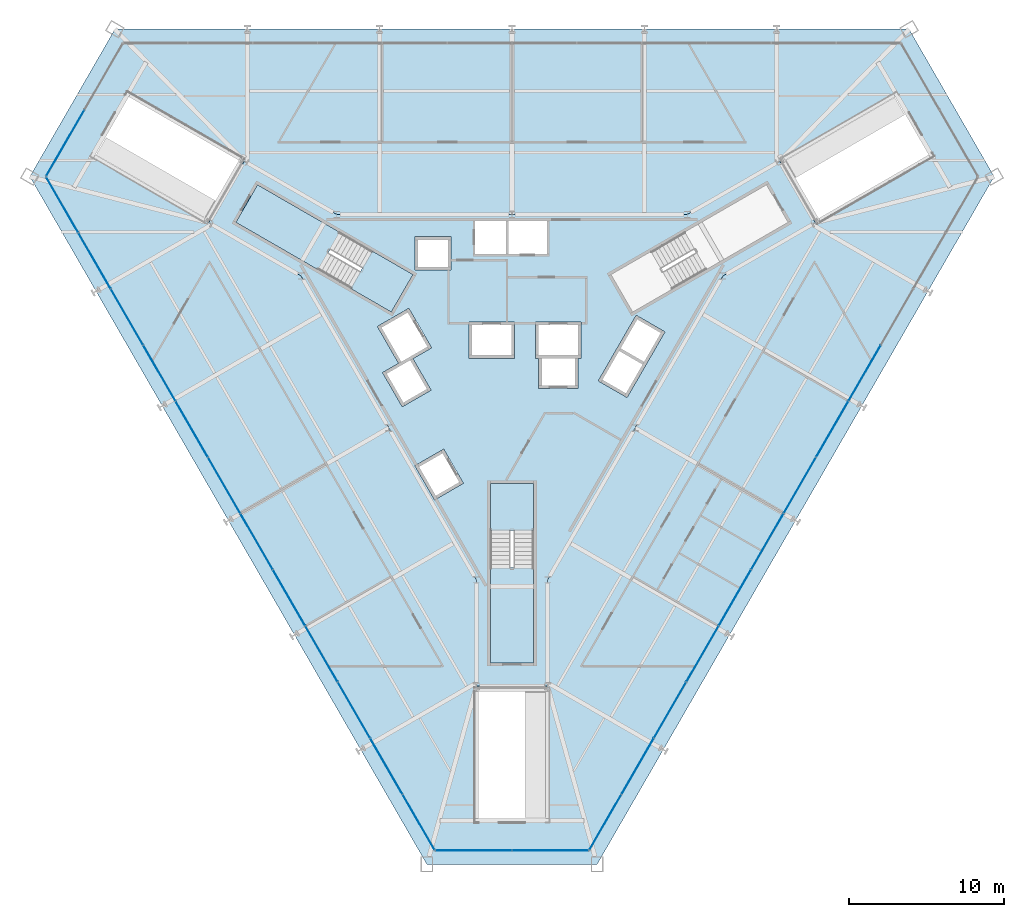
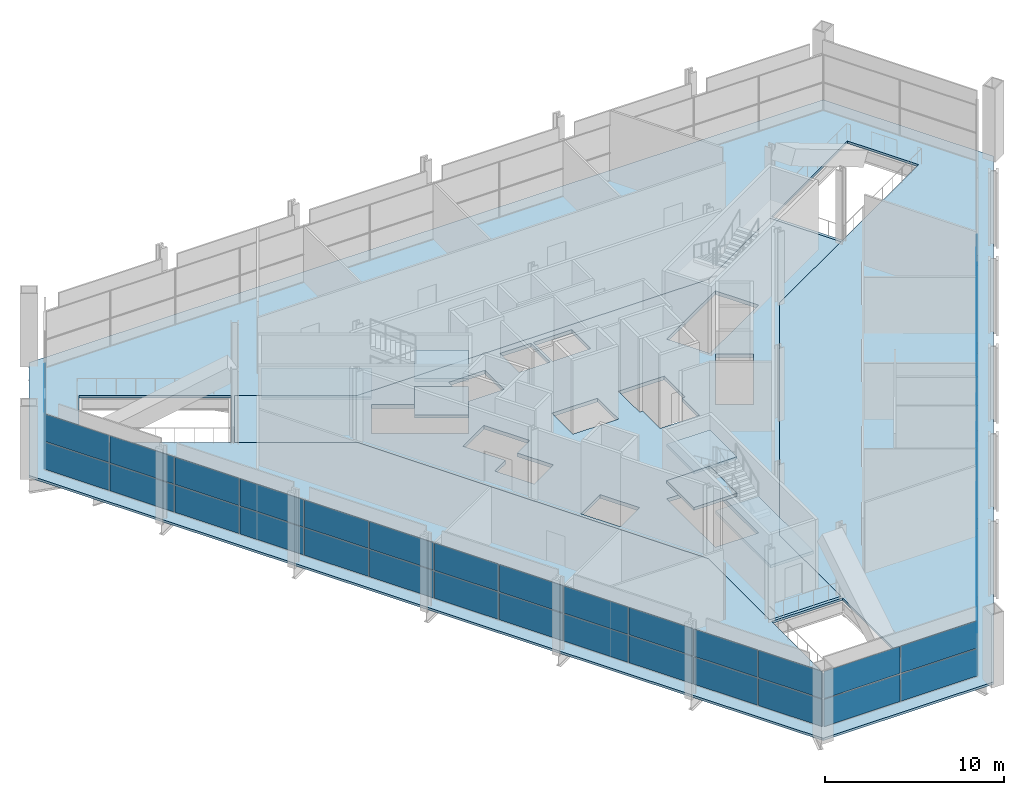
# One storey, part 11 of 20: 48 plates, 8 slabs, 6 elements without a shape of their own.
"""IFC4 building model written with IfcOpenShell, lengths in metres."""

from ifc_helpers import new_model, si_unit, direction, frame, origin, origin_2d, place, context, subcontext, project, spatial, polyline, rectangle, outline, extrude, material, layer, layer_set, type_object, element, aggregate, save


model = new_model("IFC4")

# Units and contexts
model_context = context("Model", 3, precision=1e-05, world=origin(), true_north=direction((0.0, 1.0)))
body_context = subcontext(model_context, "Body", "Model", "MODEL_VIEW")
ifc_project = project(units=[si_unit("LENGTHUNIT", "METRE"), si_unit("AREAUNIT", "SQUARE_METRE"), si_unit("VOLUMEUNIT", "CUBIC_METRE"), si_unit("PLANEANGLEUNIT", "RADIAN"), si_unit("MASSUNIT", "GRAM", prefix="KILO")], contexts=[model_context])

# Site, building, storey
site_placement = place(None, origin())
site = spatial("IfcSite", under=ifc_project, at=site_placement, CompositionType="ELEMENT")
building_placement = place(site_placement, origin())
building = spatial("IfcBuilding", under=site, at=building_placement, Name="Verrane Prism Tower", CompositionType="ELEMENT")
storey_placement = place(building_placement, frame((0.0, 0.0, 17.39990234375)))
storey = spatial("IfcBuildingStorey", under=building, at=storey_placement, Name="L02", CompositionType="ELEMENT", Elevation=17.39990234375)

# Curtain wall, plates
ifc_material_1 = material(Name="Aluminium and glass curtain wall", Category="aluminium")
ifc_layer_1 = layer(ifc_material_1, 0.199951171875)
ifc_layer_set_1 = layer_set([ifc_layer_1], Name="CWB-1 retail curtain wall")
curtain_wall_type = type_object("IfcCurtainWallType", Name="CWB-1 retail curtain wall", PredefinedType="NOTDEFINED", material=ifc_layer_set_1)
curtain_wall_1_placement = place(storey_placement, origin())
curtain_wall_1 = element("IfcCurtainWall", 1, at=curtain_wall_1_placement, inside=storey, type_object=curtain_wall_type, Name="Retail curtain wall L02 3", PredefinedType="NOTDEFINED")
ifc_material_2 = material(Name="Glass double glazed low-e", Category="glass")
ifc_layer_2 = layer(ifc_material_2, 0.028076171875)
ifc_layer_set_2 = layer_set([ifc_layer_2], Name="CWB-P 28 mm low-e glass panel")
plate_type = type_object("IfcPlateType", Name="CWB-P 28 mm low-e glass panel", PredefinedType="CURTAIN_PANEL", material=ifc_layer_set_2)
plate_1_placement = place(storey_placement, frame((-28.875732421875, 13.813232421875, 0.06005859375), z_axis=(0.0, 0.0, 1.0), x_axis=(-0.499999190758, -0.866025871, 0.0)))
plate_1 = element("IfcPlate", 2, at=plate_1_placement, type_object=plate_type, Name="CWB23 panel 2.1", PredefinedType="CURTAIN_PANEL", context=body_context, shape_type="SweptSolid", body=[
    extrude(rectangle(XDim=4.890380859375, YDim=0.028076171875, at=origin_2d()), origin(), (0.0, 0.0, 1.0), 1.85498046875),
])
plate_2_placement = place(storey_placement, frame((-28.875732421875, 13.813232421875, 1.97509765625), z_axis=(0.0, 0.0, 1.0), x_axis=(-0.499999190758, -0.866025871, 0.0)))
plate_2 = element("IfcPlate", 3, at=plate_2_placement, type_object=plate_type, Name="CWB23 panel 2.2", PredefinedType="CURTAIN_PANEL", context=body_context, shape_type="SweptSolid", body=[
    extrude(rectangle(XDim=4.890380859375, YDim=0.028076171875, at=origin_2d()), origin(), (0.0, 0.0, 1.0), 1.85498046875),
])
aggregate(curtain_wall_1, [plate_1, plate_2])

curtain_wall_2_placement = place(storey_placement, origin())
curtain_wall_2 = element("IfcCurtainWall", 4, at=curtain_wall_2_placement, inside=storey, type_object=curtain_wall_type, Name="Retail curtain wall L02 4", PredefinedType="NOTDEFINED")
plate_3_placement = place(storey_placement, frame((-29.072998046875, 9.81591796875, 0.06005859375), z_axis=(0.0, 0.0, 1.0), x_axis=(0.50000011897, -0.866025335097, 0.0)))
plate_3 = element("IfcPlate", 5, at=plate_3_placement, type_object=plate_type, Name="CWB24 panel 1.1", PredefinedType="CURTAIN_PANEL", context=body_context, shape_type="SweptSolid", body=[
    extrude(rectangle(XDim=4.101318359375, YDim=0.028076171875, at=origin_2d()), origin(), (0.0, 0.0, 1.0), 1.85498046875),
])
plate_4_placement = place(storey_placement, frame((-29.072998046875, 9.81591796875, 1.97509765625), z_axis=(0.0, 0.0, 1.0), x_axis=(0.50000011897, -0.866025335097, 0.0)))
plate_4 = element("IfcPlate", 6, at=plate_4_placement, type_object=plate_type, Name="CWB24 panel 1.2", PredefinedType="CURTAIN_PANEL", context=body_context, shape_type="SweptSolid", body=[
    extrude(rectangle(XDim=4.101318359375, YDim=0.028076171875, at=origin_2d()), origin(), (0.0, 0.0, 1.0), 1.85498046875),
])
plate_5_placement = place(storey_placement, frame((-26.98486328125, 6.198974609375, 0.06005859375), z_axis=(0.0, 0.0, 1.0), x_axis=(0.50000011897, -0.866025335097, 0.0)))
plate_5 = element("IfcPlate", 7, at=plate_5_placement, type_object=plate_type, Name="CWB24 panel 2.1", PredefinedType="CURTAIN_PANEL", context=body_context, shape_type="SweptSolid", body=[
    extrude(rectangle(XDim=4.13134765625, YDim=0.028076171875, at=origin_2d()), origin(), (0.0, 0.0, 1.0), 1.85498046875),
])
plate_6_placement = place(storey_placement, frame((-26.98486328125, 6.198974609375, 1.97509765625), z_axis=(0.0, 0.0, 1.0), x_axis=(0.50000011897, -0.866025335097, 0.0)))
plate_6 = element("IfcPlate", 8, at=plate_6_placement, type_object=plate_type, Name="CWB24 panel 2.2", PredefinedType="CURTAIN_PANEL", context=body_context, shape_type="SweptSolid", body=[
    extrude(rectangle(XDim=4.13134765625, YDim=0.028076171875, at=origin_2d()), origin(), (0.0, 0.0, 1.0), 1.85498046875),
])
plate_7_placement = place(storey_placement, frame((-24.88916015625, 2.5693359375, 0.06005859375), z_axis=(0.0, 0.0, 1.0), x_axis=(0.50000011897, -0.866025335097, 0.0)))
plate_7 = element("IfcPlate", 9, at=plate_7_placement, type_object=plate_type, Name="CWB24 panel 3.1", PredefinedType="CURTAIN_PANEL", context=body_context, shape_type="SweptSolid", body=[
    extrude(rectangle(XDim=4.13134765625, YDim=0.028076171875, at=origin_2d()), origin(), (0.0, 0.0, 1.0), 1.85498046875),
])
plate_8_placement = place(storey_placement, frame((-24.88916015625, 2.5693359375, 1.97509765625), z_axis=(0.0, 0.0, 1.0), x_axis=(0.50000011897, -0.866025335097, 0.0)))
plate_8 = element("IfcPlate", 10, at=plate_8_placement, type_object=plate_type, Name="CWB24 panel 3.2", PredefinedType="CURTAIN_PANEL", context=body_context, shape_type="SweptSolid", body=[
    extrude(rectangle(XDim=4.13134765625, YDim=0.028076171875, at=origin_2d()), origin(), (0.0, 0.0, 1.0), 1.85498046875),
])
plate_9_placement = place(storey_placement, frame((-22.79345703125, -1.060546875, 0.06005859375), z_axis=(0.0, 0.0, 1.0), x_axis=(0.50000011897, -0.866025335097, 0.0)))
plate_9 = element("IfcPlate", 11, at=plate_9_placement, type_object=plate_type, Name="CWB24 panel 4.1", PredefinedType="CURTAIN_PANEL", context=body_context, shape_type="SweptSolid", body=[
    extrude(rectangle(XDim=4.13134765625, YDim=0.028076171875, at=origin_2d()), origin(), (0.0, 0.0, 1.0), 1.85498046875),
])
plate_10_placement = place(storey_placement, frame((-22.79345703125, -1.060546875, 1.97509765625), z_axis=(0.0, 0.0, 1.0), x_axis=(0.50000011897, -0.866025335097, 0.0)))
plate_10 = element("IfcPlate", 12, at=plate_10_placement, type_object=plate_type, Name="CWB24 panel 4.2", PredefinedType="CURTAIN_PANEL", context=body_context, shape_type="SweptSolid", body=[
    extrude(rectangle(XDim=4.13134765625, YDim=0.028076171875, at=origin_2d()), origin(), (0.0, 0.0, 1.0), 1.85498046875),
])
plate_11_placement = place(storey_placement, frame((-20.69775390625, -4.6904296875, 0.06005859375), z_axis=(0.0, 0.0, 1.0), x_axis=(0.50000011897, -0.866025335097, 0.0)))
plate_11 = element("IfcPlate", 13, at=plate_11_placement, type_object=plate_type, Name="CWB24 panel 5.1", PredefinedType="CURTAIN_PANEL", context=body_context, shape_type="SweptSolid", body=[
    extrude(rectangle(XDim=4.13134765625, YDim=0.028076171875, at=origin_2d()), origin(), (0.0, 0.0, 1.0), 1.85498046875),
])
plate_12_placement = place(storey_placement, frame((-20.69775390625, -4.6904296875, 1.97509765625), z_axis=(0.0, 0.0, 1.0), x_axis=(0.50000011897, -0.866025335097, 0.0)))
plate_12 = element("IfcPlate", 14, at=plate_12_placement, type_object=plate_type, Name="CWB24 panel 5.2", PredefinedType="CURTAIN_PANEL", context=body_context, shape_type="SweptSolid", body=[
    extrude(rectangle(XDim=4.13134765625, YDim=0.028076171875, at=origin_2d()), origin(), (0.0, 0.0, 1.0), 1.85498046875),
])
plate_13_placement = place(storey_placement, frame((-18.60205078125, -8.320068359375, 0.06005859375), z_axis=(0.0, 0.0, 1.0), x_axis=(0.50000011897, -0.866025335097, 0.0)))
plate_13 = element("IfcPlate", 15, at=plate_13_placement, type_object=plate_type, Name="CWB24 panel 6.1", PredefinedType="CURTAIN_PANEL", context=body_context, shape_type="SweptSolid", body=[
    extrude(rectangle(XDim=4.13134765625, YDim=0.028076171875, at=origin_2d()), origin(), (0.0, 0.0, 1.0), 1.85498046875),
])
plate_14_placement = place(storey_placement, frame((-18.60205078125, -8.320068359375, 1.97509765625), z_axis=(0.0, 0.0, 1.0), x_axis=(0.50000011897, -0.866025335097, 0.0)))
plate_14 = element("IfcPlate", 16, at=plate_14_placement, type_object=plate_type, Name="CWB24 panel 6.2", PredefinedType="CURTAIN_PANEL", context=body_context, shape_type="SweptSolid", body=[
    extrude(rectangle(XDim=4.13134765625, YDim=0.028076171875, at=origin_2d()), origin(), (0.0, 0.0, 1.0), 1.85498046875),
])
plate_15_placement = place(storey_placement, frame((-16.506591796875, -11.949951171875, 0.06005859375), z_axis=(0.0, 0.0, 1.0), x_axis=(0.50000011897, -0.866025335097, 0.0)))
plate_15 = element("IfcPlate", 17, at=plate_15_placement, type_object=plate_type, Name="CWB24 panel 7.1", PredefinedType="CURTAIN_PANEL", context=body_context, shape_type="SweptSolid", body=[
    extrude(rectangle(XDim=4.13134765625, YDim=0.028076171875, at=origin_2d()), origin(), (0.0, 0.0, 1.0), 1.85498046875),
])
plate_16_placement = place(storey_placement, frame((-16.506591796875, -11.949951171875, 1.97509765625), z_axis=(0.0, 0.0, 1.0), x_axis=(0.50000011897, -0.866025335097, 0.0)))
plate_16 = element("IfcPlate", 18, at=plate_16_placement, type_object=plate_type, Name="CWB24 panel 7.2", PredefinedType="CURTAIN_PANEL", context=body_context, shape_type="SweptSolid", body=[
    extrude(rectangle(XDim=4.13134765625, YDim=0.028076171875, at=origin_2d()), origin(), (0.0, 0.0, 1.0), 1.85498046875),
])
plate_17_placement = place(storey_placement, frame((-14.410888671875, -15.57958984375, 0.06005859375), z_axis=(0.0, 0.0, 1.0), x_axis=(0.50000011897, -0.866025335097, 0.0)))
plate_17 = element("IfcPlate", 19, at=plate_17_placement, type_object=plate_type, Name="CWB24 panel 8.1", PredefinedType="CURTAIN_PANEL", context=body_context, shape_type="SweptSolid", body=[
    extrude(rectangle(XDim=4.13134765625, YDim=0.028076171875, at=origin_2d()), origin(), (0.0, 0.0, 1.0), 1.85498046875),
])
plate_18_placement = place(storey_placement, frame((-14.410888671875, -15.57958984375, 1.97509765625), z_axis=(0.0, 0.0, 1.0), x_axis=(0.50000011897, -0.866025335097, 0.0)))
plate_18 = element("IfcPlate", 20, at=plate_18_placement, type_object=plate_type, Name="CWB24 panel 8.2", PredefinedType="CURTAIN_PANEL", context=body_context, shape_type="SweptSolid", body=[
    extrude(rectangle(XDim=4.13134765625, YDim=0.028076171875, at=origin_2d()), origin(), (0.0, 0.0, 1.0), 1.85498046875),
])
plate_19_placement = place(storey_placement, frame((-12.315185546875, -19.20947265625, 0.06005859375), z_axis=(0.0, 0.0, 1.0), x_axis=(0.50000011897, -0.866025335097, 0.0)))
plate_19 = element("IfcPlate", 21, at=plate_19_placement, type_object=plate_type, Name="CWB24 panel 9.1", PredefinedType="CURTAIN_PANEL", context=body_context, shape_type="SweptSolid", body=[
    extrude(rectangle(XDim=4.13134765625, YDim=0.028076171875, at=origin_2d()), origin(), (0.0, 0.0, 1.0), 1.85498046875),
])
plate_20_placement = place(storey_placement, frame((-12.315185546875, -19.20947265625, 1.97509765625), z_axis=(0.0, 0.0, 1.0), x_axis=(0.50000011897, -0.866025335097, 0.0)))
plate_20 = element("IfcPlate", 22, at=plate_20_placement, type_object=plate_type, Name="CWB24 panel 9.2", PredefinedType="CURTAIN_PANEL", context=body_context, shape_type="SweptSolid", body=[
    extrude(rectangle(XDim=4.13134765625, YDim=0.028076171875, at=origin_2d()), origin(), (0.0, 0.0, 1.0), 1.85498046875),
])
plate_21_placement = place(storey_placement, frame((-10.219482421875, -22.83935546875, 0.06005859375), z_axis=(0.0, 0.0, 1.0), x_axis=(0.50000011897, -0.866025335097, 0.0)))
plate_21 = element("IfcPlate", 23, at=plate_21_placement, type_object=plate_type, Name="CWB24 panel 10.1", PredefinedType="CURTAIN_PANEL", context=body_context, shape_type="SweptSolid", body=[
    extrude(rectangle(XDim=4.13134765625, YDim=0.028076171875, at=origin_2d()), origin(), (0.0, 0.0, 1.0), 1.85498046875),
])
plate_22_placement = place(storey_placement, frame((-10.219482421875, -22.83935546875, 1.97509765625), z_axis=(0.0, 0.0, 1.0), x_axis=(0.50000011897, -0.866025335097, 0.0)))
plate_22 = element("IfcPlate", 24, at=plate_22_placement, type_object=plate_type, Name="CWB24 panel 10.2", PredefinedType="CURTAIN_PANEL", context=body_context, shape_type="SweptSolid", body=[
    extrude(rectangle(XDim=4.13134765625, YDim=0.028076171875, at=origin_2d()), origin(), (0.0, 0.0, 1.0), 1.85498046875),
])
plate_23_placement = place(storey_placement, frame((-8.123779296875, -26.468994140625, 0.06005859375), z_axis=(0.0, 0.0, 1.0), x_axis=(0.50000011897, -0.866025335097, 0.0)))
plate_23 = element("IfcPlate", 25, at=plate_23_placement, type_object=plate_type, Name="CWB24 panel 11.1", PredefinedType="CURTAIN_PANEL", context=body_context, shape_type="SweptSolid", body=[
    extrude(rectangle(XDim=4.13134765625, YDim=0.028076171875, at=origin_2d()), origin(), (0.0, 0.0, 1.0), 1.85498046875),
])
plate_24_placement = place(storey_placement, frame((-8.123779296875, -26.468994140625, 1.97509765625), z_axis=(0.0, 0.0, 1.0), x_axis=(0.50000011897, -0.866025335097, 0.0)))
plate_24 = element("IfcPlate", 26, at=plate_24_placement, type_object=plate_type, Name="CWB24 panel 11.2", PredefinedType="CURTAIN_PANEL", context=body_context, shape_type="SweptSolid", body=[
    extrude(rectangle(XDim=4.13134765625, YDim=0.028076171875, at=origin_2d()), origin(), (0.0, 0.0, 1.0), 1.85498046875),
])
plate_25_placement = place(storey_placement, frame((-6.03564453125, -30.0859375, 0.06005859375), z_axis=(0.0, 0.0, 1.0), x_axis=(0.50000011897, -0.866025335097, 0.0)))
plate_25 = element("IfcPlate", 27, at=plate_25_placement, type_object=plate_type, Name="CWB24 panel 12.1", PredefinedType="CURTAIN_PANEL", context=body_context, shape_type="SweptSolid", body=[
    extrude(rectangle(XDim=4.101318359375, YDim=0.028076171875, at=origin_2d()), origin(), (0.0, 0.0, 1.0), 1.85498046875),
])
plate_26_placement = place(storey_placement, frame((-6.03564453125, -30.0859375, 1.97509765625), z_axis=(0.0, 0.0, 1.0), x_axis=(0.50000011897, -0.866025335097, 0.0)))
plate_26 = element("IfcPlate", 28, at=plate_26_placement, type_object=plate_type, Name="CWB24 panel 12.2", PredefinedType="CURTAIN_PANEL", context=body_context, shape_type="SweptSolid", body=[
    extrude(rectangle(XDim=4.101318359375, YDim=0.028076171875, at=origin_2d()), origin(), (0.0, 0.0, 1.0), 1.85498046875),
])
aggregate(curtain_wall_2, [plate_3, plate_4, plate_5, plate_6, plate_7, plate_8, plate_9, plate_10, plate_11, plate_12, plate_13, plate_14, plate_15, plate_16, plate_17, plate_18, plate_19, plate_20, plate_21, plate_22, plate_23, plate_24, plate_25, plate_26])

curtain_wall_3_placement = place(storey_placement, origin())
curtain_wall_3 = element("IfcCurtainWall", 29, at=curtain_wall_3_placement, inside=storey, type_object=curtain_wall_type, Name="Retail curtain wall L02 5", PredefinedType="NOTDEFINED")
plate_27_placement = place(storey_placement, frame((-2.47509765625, -31.913818359375, 0.06005859375), z_axis=(0.0, 0.0, 1.0), x_axis=(1.0, 0.0, 0.0)))
plate_27 = element("IfcPlate", 30, at=plate_27_placement, type_object=plate_type, Name="CWB25 panel 1.1", PredefinedType="CURTAIN_PANEL", context=body_context, shape_type="SweptSolid", body=[
    extrude(rectangle(XDim=4.890380859375, YDim=0.028076171875, at=origin_2d()), origin(), (0.0, 0.0, 1.0), 1.85498046875),
])
plate_28_placement = place(storey_placement, frame((-2.47509765625, -31.913818359375, 1.97509765625), z_axis=(0.0, 0.0, 1.0), x_axis=(1.0, 0.0, 0.0)))
plate_28 = element("IfcPlate", 31, at=plate_28_placement, type_object=plate_type, Name="CWB25 panel 1.2", PredefinedType="CURTAIN_PANEL", context=body_context, shape_type="SweptSolid", body=[
    extrude(rectangle(XDim=4.890380859375, YDim=0.028076171875, at=origin_2d()), origin(), (0.0, 0.0, 1.0), 1.85498046875),
])
plate_29_placement = place(storey_placement, frame((2.47509765625, -31.913818359375, 0.06005859375), z_axis=(0.0, 0.0, 1.0), x_axis=(1.0, 0.0, 0.0)))
plate_29 = element("IfcPlate", 32, at=plate_29_placement, type_object=plate_type, Name="CWB25 panel 2.1", PredefinedType="CURTAIN_PANEL", context=body_context, shape_type="SweptSolid", body=[
    extrude(rectangle(XDim=4.890380859375, YDim=0.028076171875, at=origin_2d()), origin(), (0.0, 0.0, 1.0), 1.85498046875),
])
plate_30_placement = place(storey_placement, frame((2.47509765625, -31.913818359375, 1.97509765625), z_axis=(0.0, 0.0, 1.0), x_axis=(1.0, 0.0, 0.0)))
plate_30 = element("IfcPlate", 33, at=plate_30_placement, type_object=plate_type, Name="CWB25 panel 2.2", PredefinedType="CURTAIN_PANEL", context=body_context, shape_type="SweptSolid", body=[
    extrude(rectangle(XDim=4.890380859375, YDim=0.028076171875, at=origin_2d()), origin(), (0.0, 0.0, 1.0), 1.85498046875),
])
aggregate(curtain_wall_3, [plate_27, plate_28, plate_29, plate_30])

curtain_wall_4_placement = place(storey_placement, origin())
curtain_wall_4 = element("IfcCurtainWall", 34, at=curtain_wall_4_placement, inside=storey, type_object=curtain_wall_type, Name="Retail curtain wall L02 6", PredefinedType="NOTDEFINED")
plate_31_placement = place(storey_placement, frame((6.03564453125, -30.0859375, 0.06005859375), z_axis=(0.0, 0.0, 1.0), x_axis=(0.50000011897, 0.866025335097, 0.0)))
plate_31 = element("IfcPlate", 35, at=plate_31_placement, type_object=plate_type, Name="CWB26 panel 1.1", PredefinedType="CURTAIN_PANEL", context=body_context, shape_type="SweptSolid", body=[
    extrude(rectangle(XDim=4.101318359375, YDim=0.028076171875, at=origin_2d()), origin(), (0.0, 0.0, 1.0), 1.85498046875),
])
plate_32_placement = place(storey_placement, frame((6.03564453125, -30.0859375, 1.97509765625), z_axis=(0.0, 0.0, 1.0), x_axis=(0.50000011897, 0.866025335097, 0.0)))
plate_32 = element("IfcPlate", 36, at=plate_32_placement, type_object=plate_type, Name="CWB26 panel 1.2", PredefinedType="CURTAIN_PANEL", context=body_context, shape_type="SweptSolid", body=[
    extrude(rectangle(XDim=4.101318359375, YDim=0.028076171875, at=origin_2d()), origin(), (0.0, 0.0, 1.0), 1.85498046875),
])
plate_33_placement = place(storey_placement, frame((8.123779296875, -26.468994140625, 0.06005859375), z_axis=(0.0, 0.0, 1.0), x_axis=(0.50000011897, 0.866025335097, 0.0)))
plate_33 = element("IfcPlate", 37, at=plate_33_placement, type_object=plate_type, Name="CWB26 panel 2.1", PredefinedType="CURTAIN_PANEL", context=body_context, shape_type="SweptSolid", body=[
    extrude(rectangle(XDim=4.13134765625, YDim=0.028076171875, at=origin_2d()), origin(), (0.0, 0.0, 1.0), 1.85498046875),
])
plate_34_placement = place(storey_placement, frame((8.123779296875, -26.468994140625, 1.97509765625), z_axis=(0.0, 0.0, 1.0), x_axis=(0.50000011897, 0.866025335097, 0.0)))
plate_34 = element("IfcPlate", 38, at=plate_34_placement, type_object=plate_type, Name="CWB26 panel 2.2", PredefinedType="CURTAIN_PANEL", context=body_context, shape_type="SweptSolid", body=[
    extrude(rectangle(XDim=4.13134765625, YDim=0.028076171875, at=origin_2d()), origin(), (0.0, 0.0, 1.0), 1.85498046875),
])
plate_35_placement = place(storey_placement, frame((10.219482421875, -22.83935546875, 0.06005859375), z_axis=(0.0, 0.0, 1.0), x_axis=(0.50000011897, 0.866025335097, 0.0)))
plate_35 = element("IfcPlate", 39, at=plate_35_placement, type_object=plate_type, Name="CWB26 panel 3.1", PredefinedType="CURTAIN_PANEL", context=body_context, shape_type="SweptSolid", body=[
    extrude(rectangle(XDim=4.13134765625, YDim=0.028076171875, at=origin_2d()), origin(), (0.0, 0.0, 1.0), 1.85498046875),
])
plate_36_placement = place(storey_placement, frame((10.219482421875, -22.83935546875, 1.97509765625), z_axis=(0.0, 0.0, 1.0), x_axis=(0.50000011897, 0.866025335097, 0.0)))
plate_36 = element("IfcPlate", 40, at=plate_36_placement, type_object=plate_type, Name="CWB26 panel 3.2", PredefinedType="CURTAIN_PANEL", context=body_context, shape_type="SweptSolid", body=[
    extrude(rectangle(XDim=4.13134765625, YDim=0.028076171875, at=origin_2d()), origin(), (0.0, 0.0, 1.0), 1.85498046875),
])
plate_37_placement = place(storey_placement, frame((12.315185546875, -19.20947265625, 0.06005859375), z_axis=(0.0, 0.0, 1.0), x_axis=(0.50000011897, 0.866025335097, 0.0)))
plate_37 = element("IfcPlate", 41, at=plate_37_placement, type_object=plate_type, Name="CWB26 panel 4.1", PredefinedType="CURTAIN_PANEL", context=body_context, shape_type="SweptSolid", body=[
    extrude(rectangle(XDim=4.13134765625, YDim=0.028076171875, at=origin_2d()), origin(), (0.0, 0.0, 1.0), 1.85498046875),
])
plate_38_placement = place(storey_placement, frame((12.315185546875, -19.20947265625, 1.97509765625), z_axis=(0.0, 0.0, 1.0), x_axis=(0.50000011897, 0.866025335097, 0.0)))
plate_38 = element("IfcPlate", 42, at=plate_38_placement, type_object=plate_type, Name="CWB26 panel 4.2", PredefinedType="CURTAIN_PANEL", context=body_context, shape_type="SweptSolid", body=[
    extrude(rectangle(XDim=4.13134765625, YDim=0.028076171875, at=origin_2d()), origin(), (0.0, 0.0, 1.0), 1.85498046875),
])
plate_39_placement = place(storey_placement, frame((14.410888671875, -15.57958984375, 0.06005859375), z_axis=(0.0, 0.0, 1.0), x_axis=(0.50000011897, 0.866025335097, 0.0)))
plate_39 = element("IfcPlate", 43, at=plate_39_placement, type_object=plate_type, Name="CWB26 panel 5.1", PredefinedType="CURTAIN_PANEL", context=body_context, shape_type="SweptSolid", body=[
    extrude(rectangle(XDim=4.13134765625, YDim=0.028076171875, at=origin_2d()), origin(), (0.0, 0.0, 1.0), 1.85498046875),
])
plate_40_placement = place(storey_placement, frame((14.410888671875, -15.57958984375, 1.97509765625), z_axis=(0.0, 0.0, 1.0), x_axis=(0.50000011897, 0.866025335097, 0.0)))
plate_40 = element("IfcPlate", 44, at=plate_40_placement, type_object=plate_type, Name="CWB26 panel 5.2", PredefinedType="CURTAIN_PANEL", context=body_context, shape_type="SweptSolid", body=[
    extrude(rectangle(XDim=4.13134765625, YDim=0.028076171875, at=origin_2d()), origin(), (0.0, 0.0, 1.0), 1.85498046875),
])
plate_41_placement = place(storey_placement, frame((16.506591796875, -11.949951171875, 0.06005859375), z_axis=(0.0, 0.0, 1.0), x_axis=(0.50000011897, 0.866025335097, 0.0)))
plate_41 = element("IfcPlate", 45, at=plate_41_placement, type_object=plate_type, Name="CWB26 panel 6.1", PredefinedType="CURTAIN_PANEL", context=body_context, shape_type="SweptSolid", body=[
    extrude(rectangle(XDim=4.13134765625, YDim=0.028076171875, at=origin_2d()), origin(), (0.0, 0.0, 1.0), 1.85498046875),
])
plate_42_placement = place(storey_placement, frame((16.506591796875, -11.949951171875, 1.97509765625), z_axis=(0.0, 0.0, 1.0), x_axis=(0.50000011897, 0.866025335097, 0.0)))
plate_42 = element("IfcPlate", 46, at=plate_42_placement, type_object=plate_type, Name="CWB26 panel 6.2", PredefinedType="CURTAIN_PANEL", context=body_context, shape_type="SweptSolid", body=[
    extrude(rectangle(XDim=4.13134765625, YDim=0.028076171875, at=origin_2d()), origin(), (0.0, 0.0, 1.0), 1.85498046875),
])
plate_43_placement = place(storey_placement, frame((18.60205078125, -8.320068359375, 0.06005859375), z_axis=(0.0, 0.0, 1.0), x_axis=(0.50000011897, 0.866025335097, 0.0)))
plate_43 = element("IfcPlate", 47, at=plate_43_placement, type_object=plate_type, Name="CWB26 panel 7.1", PredefinedType="CURTAIN_PANEL", context=body_context, shape_type="SweptSolid", body=[
    extrude(rectangle(XDim=4.13134765625, YDim=0.028076171875, at=origin_2d()), origin(), (0.0, 0.0, 1.0), 1.85498046875),
])
plate_44_placement = place(storey_placement, frame((18.60205078125, -8.320068359375, 1.97509765625), z_axis=(0.0, 0.0, 1.0), x_axis=(0.50000011897, 0.866025335097, 0.0)))
plate_44 = element("IfcPlate", 48, at=plate_44_placement, type_object=plate_type, Name="CWB26 panel 7.2", PredefinedType="CURTAIN_PANEL", context=body_context, shape_type="SweptSolid", body=[
    extrude(rectangle(XDim=4.13134765625, YDim=0.028076171875, at=origin_2d()), origin(), (0.0, 0.0, 1.0), 1.85498046875),
])
plate_45_placement = place(storey_placement, frame((20.69775390625, -4.6904296875, 0.06005859375), z_axis=(0.0, 0.0, 1.0), x_axis=(0.50000011897, 0.866025335097, 0.0)))
plate_45 = element("IfcPlate", 49, at=plate_45_placement, type_object=plate_type, Name="CWB26 panel 8.1", PredefinedType="CURTAIN_PANEL", context=body_context, shape_type="SweptSolid", body=[
    extrude(rectangle(XDim=4.13134765625, YDim=0.028076171875, at=origin_2d()), origin(), (0.0, 0.0, 1.0), 1.85498046875),
])
plate_46_placement = place(storey_placement, frame((20.69775390625, -4.6904296875, 1.97509765625), z_axis=(0.0, 0.0, 1.0), x_axis=(0.50000011897, 0.866025335097, 0.0)))
plate_46 = element("IfcPlate", 50, at=plate_46_placement, type_object=plate_type, Name="CWB26 panel 8.2", PredefinedType="CURTAIN_PANEL", context=body_context, shape_type="SweptSolid", body=[
    extrude(rectangle(XDim=4.13134765625, YDim=0.028076171875, at=origin_2d()), origin(), (0.0, 0.0, 1.0), 1.85498046875),
])
plate_47_placement = place(storey_placement, frame((22.79345703125, -1.060546875, 0.06005859375), z_axis=(0.0, 0.0, 1.0), x_axis=(0.50000011897, 0.866025335097, 0.0)))
plate_47 = element("IfcPlate", 51, at=plate_47_placement, type_object=plate_type, Name="CWB26 panel 9.1", PredefinedType="CURTAIN_PANEL", context=body_context, shape_type="SweptSolid", body=[
    extrude(rectangle(XDim=4.13134765625, YDim=0.028076171875, at=origin_2d()), origin(), (0.0, 0.0, 1.0), 1.85498046875),
])
plate_48_placement = place(storey_placement, frame((22.79345703125, -1.060546875, 1.97509765625), z_axis=(0.0, 0.0, 1.0), x_axis=(0.50000011897, 0.866025335097, 0.0)))
plate_48 = element("IfcPlate", 52, at=plate_48_placement, type_object=plate_type, Name="CWB26 panel 9.2", PredefinedType="CURTAIN_PANEL", context=body_context, shape_type="SweptSolid", body=[
    extrude(rectangle(XDim=4.13134765625, YDim=0.028076171875, at=origin_2d()), origin(), (0.0, 0.0, 1.0), 1.85498046875),
])
aggregate(curtain_wall_4, [plate_31, plate_32, plate_33, plate_34, plate_35, plate_36, plate_37, plate_38, plate_39, plate_40, plate_41, plate_42, plate_43, plate_44, plate_45, plate_46, plate_47, plate_48])

# Slabs
ifc_material_3 = material(Name="Concrete C35/45", Category="concrete")
ifc_layer_3 = layer(ifc_material_3, 0.159912109375)
ifc_layer_set_3 = layer_set([ifc_layer_3], Name="Composite floor slab")
slab_type_1 = type_object("IfcSlabType", Name="Composite floor slab", PredefinedType="FLOOR", material=ifc_layer_set_3)
slab_1_placement = place(storey_placement, frame((0.0, 0.0, -0.159912109375)))
element("IfcSlab", 53, at=slab_1_placement, inside=storey, type_object=slab_type_1, Name="Floor slab L02", PredefinedType="FLOOR", context=body_context, shape_type="SweptSolid", body=[
    extrude(outline(polyline([(-25.66748046875, 21.169921875), (25.66748046875, 21.169921875), (31.16748046875, 11.643798828125), (5.5, -32.813720703125), (-5.5, -32.813720703125), (-31.16748046875, 11.643798828125), (-25.66748046875, 21.169921875)]), holes=[polyline([(0.0, 9.199951171875), (-11.330078125, 9.199951171875), (-17.300048828125, 12.639892578125), (-19.60009765625, 8.659912109375), (-13.6298828125, 5.219970703125), (-7.969970703125, -4.60009765625), (-2.300048828125, -14.419921875), (-2.300048828125, -21.300048828125), (2.300048828125, -21.300048828125), (2.300048828125, -14.419921875), (7.969970703125, -4.60009765625), (13.6298828125, 5.219970703125), (19.60009765625, 8.659912109375), (17.300048828125, 12.639892578125), (11.330078125, 9.199951171875), (0.0, 9.199951171875)]), polyline([(17.4609375, 12.73681640625), (19.760986328125, 8.753173828125), (27.130859375, 13.008056640625), (24.830810546875, 16.991943359375), (17.4609375, 12.73681640625)]), polyline([(-27.130859375, 13.008056640625), (-19.760986328125, 8.753173828125), (-17.4609375, 12.73681640625), (-24.830810546875, 16.991943359375), (-27.130859375, 13.008056640625)]), polyline([(-2.300048828125, -30.0), (2.300048828125, -30.0), (2.300048828125, -21.489990234375), (-2.300048828125, -21.489990234375), (-2.300048828125, -30.0)])]), origin(), (0.0, 0.0, 1.0), 0.159912109375),
])
ifc_material_4 = material(Name="Concrete C40/50", Category="concrete")
ifc_layer_4 = layer(ifc_material_4, 0.25)
ifc_layer_set_4 = layer_set([ifc_layer_4], Name="Core floor slab 250 concrete C40/50")
slab_type_2 = type_object("IfcSlabType", Name="Core floor slab 250 concrete C40/50", PredefinedType="FLOOR", material=ifc_layer_set_4)
slab_2_placement = place(storey_placement, frame((0.0, 0.0, -0.25)))
element("IfcSlab", 54, at=slab_2_placement, inside=storey, type_object=slab_type_2, Name="Core floor L02", PredefinedType="FLOOR", context=body_context, shape_type="SweptSolid", body=[
    extrude(outline(polyline([(13.6298828125, 5.219970703125), (19.60009765625, 8.659912109375), (17.300048828125, 12.639892578125), (11.330078125, 9.199951171875), (0.0, 9.199951171875), (-11.330078125, 9.199951171875), (-17.300048828125, 12.639892578125), (-19.60009765625, 8.659912109375), (-13.6298828125, 5.219970703125), (-7.969970703125, -4.60009765625), (-2.300048828125, -14.419921875), (-2.300048828125, -21.300048828125), (2.300048828125, -21.300048828125), (2.300048828125, -14.419921875), (7.969970703125, -4.60009765625), (13.6298828125, 5.219970703125)]), holes=[polyline([(-3.139892578125, -8.180908203125), (-5.001953125, -9.256103515625), (-6.277099609375, -7.048095703125), (-4.4150390625, -5.972900390625), (-3.139892578125, -8.180908203125)]), polyline([(0.1650390625, 2.25), (0.1650390625, -0.10009765625), (-2.784912109375, -0.10009765625), (-2.784912109375, 2.25), (0.1650390625, 2.25)]), polyline([(-7.801025390625, 2.887939453125), (-12.512939453125, 5.60791015625), (-11.113037109375, 8.031982421875), (-6.40087890625, 5.31201171875), (-7.801025390625, 2.887939453125)]), polyline([(-6.284912109375, 5.610107421875), (-6.284912109375, 7.760009765625), (-3.93505859375, 7.760009765625), (-3.93505859375, 5.610107421875), (-6.284912109375, 5.610107421875)]), polyline([(-2.385009765625, 6.635009765625), (-2.385009765625, 8.760009765625), (-0.375, 8.760009765625), (-0.375, 6.635009765625), (-2.385009765625, 6.635009765625)]), polyline([(1.39990234375, -8.199951171875), (1.39990234375, -13.639892578125), (-1.39990234375, -13.639892578125), (-1.39990234375, -8.199951171875), (1.39990234375, -8.199951171875)]), polyline([(4.27490234375, -2.050048828125), (1.72509765625, -2.050048828125), (1.72509765625, -0.10009765625), (1.52490234375, -0.10009765625), (1.52490234375, 2.25), (4.47509765625, 2.25), (4.47509765625, -0.10009765625), (4.27490234375, -0.10009765625), (4.27490234375, -2.050048828125)]), polyline([(9.887939453125, 1.60595703125), (7.43798828125, -2.636962890625), (5.575927734375, -1.56201171875), (8.02587890625, 2.680908203125), (9.887939453125, 1.60595703125)]), polyline([(11.113037109375, 8.031982421875), (12.512939453125, 5.60791015625), (7.801025390625, 2.887939453125), (6.40087890625, 5.31201171875), (11.113037109375, 8.031982421875)]), polyline([(-0.22509765625, 8.760009765625), (2.264892578125, 8.760009765625), (2.264892578125, 6.635009765625), (-0.22509765625, 6.635009765625), (-0.22509765625, 8.760009765625)]), polyline([(-5.23095703125, -2.159912109375), (-7.093017578125, -3.235107421875), (-8.367919921875, -1.02587890625), (-7.3291015625, -0.426025390625), (-8.7041015625, 1.955078125), (-6.66796875, 3.1298828125), (-5.193115234375, 0.574951171875), (-6.406005859375, -0.125), (-5.23095703125, -2.159912109375)])]), origin(), (0.0, 0.0, 1.0), 0.25),
])

# Stair, slabs
ifc_material_5 = material(Name="Concrete C40/50", Category="concrete")
stair_type = type_object("IfcStairType", Name="Exit stair 1300 dog-leg precast concrete C40/50", PredefinedType="HALF_TURN_STAIR", material=ifc_material_5)
stair_1_placement = place(storey_placement, origin())
stair_1 = element("IfcStair", 55, at=stair_1_placement, inside=storey, type_object=stair_type, Name="Stair 2 L02", PredefinedType="HALF_TURN_STAIR")
ifc_material_6 = material(Name="Concrete C40/50", Category="concrete")
ifc_layer_5 = layer(ifc_material_6, 0.199951171875)
ifc_layer_set_5 = layer_set([ifc_layer_5], Name="Stair landing 200 precast concrete C40/50")
slab_type_3 = type_object("IfcSlabType", Name="Stair landing 200 precast concrete C40/50", PredefinedType="LANDING", material=ifc_layer_set_5)
slab_3_placement = place(storey_placement, frame((0.0, 0.0, 1.050048828125)))
slab_3 = element("IfcSlab", 56, at=slab_3_placement, type_object=slab_type_3, Name="Stair 2 landing 1", PredefinedType="LANDING", context=body_context, shape_type="SweptSolid", body=[
    extrude(outline(polyline([(-10.43408203125, 4.407470703125), (-7.801513671875, 2.887451171875), (-6.4013671875, 5.3125), (-9.0341796875, 6.83251953125), (-10.43408203125, 4.407470703125)])), origin(), (0.0, 0.0, 1.0), 0.199951171875),
])
slab_4_placement = place(storey_placement, frame((0.0, 0.0, 2.300048828125)))
slab_4 = element("IfcSlab", 57, at=slab_4_placement, type_object=slab_type_3, Name="Stair 2 landing 2", PredefinedType="LANDING", context=body_context, shape_type="SweptSolid", body=[
    extrude(outline(polyline([(-17.84716796875, 8.6875), (-12.5126953125, 5.607666015625), (-11.112548828125, 8.032470703125), (-16.447265625, 11.1123046875), (-17.84716796875, 8.6875)])), origin(), (0.0, 0.0, 1.0), 0.199951171875),
])
slab_5_placement = place(storey_placement, frame((0.0, 0.0, 3.550048828125)))
slab_5 = element("IfcSlab", 58, at=slab_5_placement, type_object=slab_type_3, Name="Stair 2 landing 3", PredefinedType="LANDING", context=body_context, shape_type="SweptSolid", body=[
    extrude(outline(polyline([(-10.43408203125, 4.407470703125), (-7.801513671875, 2.887451171875), (-6.4013671875, 5.3125), (-9.0341796875, 6.83251953125), (-10.43408203125, 4.407470703125)])), origin(), (0.0, 0.0, 1.0), 0.199951171875),
])
aggregate(stair_1, [slab_3, slab_4, slab_5])

stair_2_placement = place(storey_placement, origin())
stair_2 = element("IfcStair", 59, at=stair_2_placement, inside=storey, type_object=stair_type, Name="Stair 3 L02", PredefinedType="HALF_TURN_STAIR")
slab_6_placement = place(storey_placement, frame((0.0, 0.0, 1.050048828125)))
slab_6 = element("IfcSlab", 60, at=slab_6_placement, type_object=slab_type_3, Name="Stair 3 landing 1", PredefinedType="LANDING", context=body_context, shape_type="SweptSolid", body=[
    extrude(outline(polyline([(1.39990234375, -11.239990234375), (1.39990234375, -8.199951171875), (-1.39990234375, -8.199951171875), (-1.39990234375, -11.239990234375), (1.39990234375, -11.239990234375)])), origin(), (0.0, 0.0, 1.0), 0.199951171875),
])
slab_7_placement = place(storey_placement, frame((0.0, 0.0, 2.300048828125)))
slab_7 = element("IfcSlab", 61, at=slab_7_placement, type_object=slab_type_3, Name="Stair 3 landing 2", PredefinedType="LANDING", context=body_context, shape_type="SweptSolid", body=[
    extrude(outline(polyline([(1.39990234375, -19.800048828125), (1.39990234375, -13.639892578125), (-1.39990234375, -13.639892578125), (-1.39990234375, -19.800048828125), (1.39990234375, -19.800048828125)])), origin(), (0.0, 0.0, 1.0), 0.199951171875),
])
slab_8_placement = place(storey_placement, frame((0.0, 0.0, 3.550048828125)))
slab_8 = element("IfcSlab", 62, at=slab_8_placement, type_object=slab_type_3, Name="Stair 3 landing 3", PredefinedType="LANDING", context=body_context, shape_type="SweptSolid", body=[
    extrude(outline(polyline([(1.39990234375, -11.239990234375), (1.39990234375, -8.199951171875), (-1.39990234375, -8.199951171875), (-1.39990234375, -11.239990234375), (1.39990234375, -11.239990234375)])), origin(), (0.0, 0.0, 1.0), 0.199951171875),
])
aggregate(stair_2, [slab_6, slab_7, slab_8])

save(model, "model.ifc")
